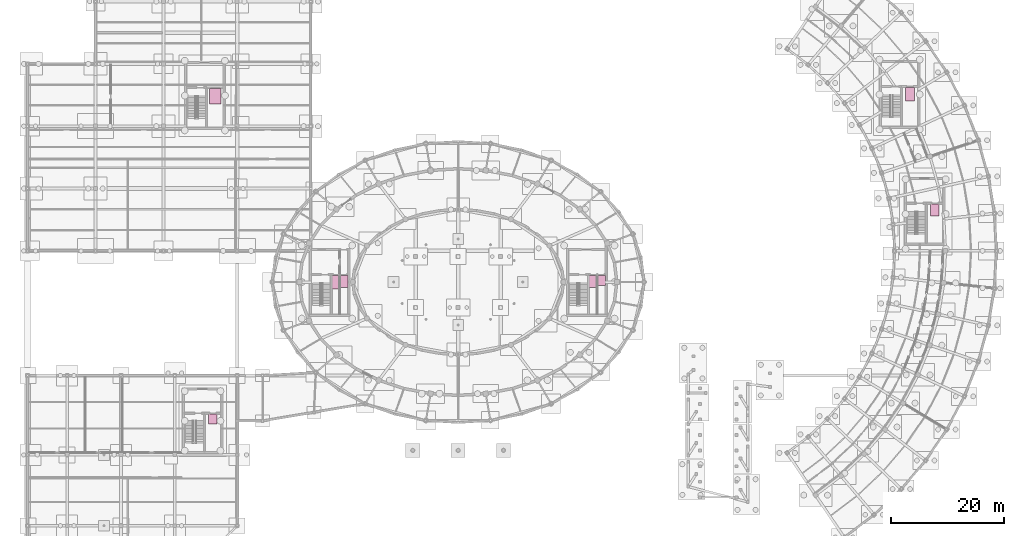
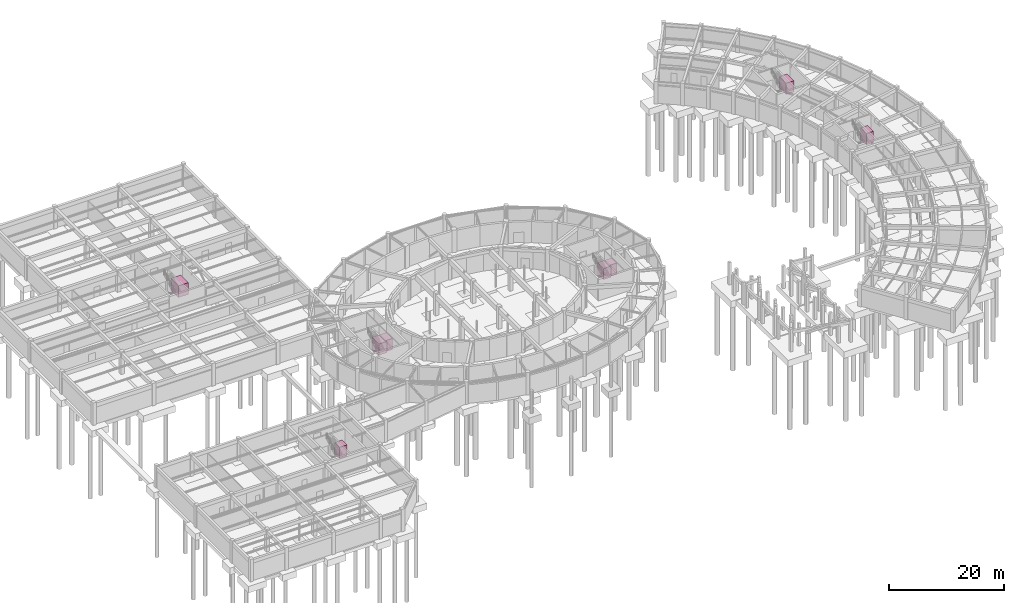
# One storey, part 42 of 42: 8 transport elements.
"""IFC4 building model written with IfcOpenShell, lengths in metres."""

from ifc_helpers import new_model, si_unit, direction, frame, origin, origin_2d, place, context, subcontext, project, spatial, rectangle, extrude, material, type_object, element, save


model = new_model("IFC4")

# Units and contexts
model_context = context("Model", 3, precision=1e-05, world=origin(), true_north=direction((0.0, 1.0)))
body_context = subcontext(model_context, "Body", "Model", "MODEL_VIEW")
ifc_project = project(units=[si_unit("LENGTHUNIT", "METRE"), si_unit("AREAUNIT", "SQUARE_METRE"), si_unit("VOLUMEUNIT", "CUBIC_METRE"), si_unit("PLANEANGLEUNIT", "RADIAN"), si_unit("MASSUNIT", "GRAM", prefix="KILO")], contexts=[model_context])

# Site, building, storey
site_placement = place(None, origin())
site = spatial("IfcSite", under=ifc_project, at=site_placement, CompositionType="ELEMENT")
building_placement = place(site_placement, origin())
building = spatial("IfcBuilding", under=site, at=building_placement, Name="Tarnveldt Headland Concert Hall", CompositionType="ELEMENT")
storey_placement = place(building_placement, frame((0.0, 0.0, -4.800048828125)))
storey = spatial("IfcBuildingStorey", under=building, at=storey_placement, Name="B1", CompositionType="ELEMENT", Elevation=-4.800048828125)

# Transport elements
ifc_material = material(Name="Marine stainless steel", Category="steel")
transport_element_type_1 = type_object("IfcTransportElementType", Name="LF-FF1600", PredefinedType="ELEVATOR", material=ifc_material)
for number, where, z_axis, x_axis, name in (
    (1, (61.936279296875, 54.4599609375, 0.0), (0.0, 0.0, 1.0), (1.0, 0.0, 0.0), "Lift FFL-01"),
    (2, (163.232421875, 87.659912109375, 0.0), (0.0, 0.0, 1.0), (1.0, 0.0, 0.0), "Lift FFL-02"),
):
    element("IfcTransportElement", number, at=place(storey_placement, frame(where, z_axis=z_axis, x_axis=x_axis)), inside=storey, type_object=transport_element_type_1, Name=name, PredefinedType="ELEVATOR", context=body_context, shape_type="SweptSolid", body=[
        extrude(rectangle(XDim=1.60009765625, YDim=2.39990234375, at=origin_2d()), origin(), (0.0, 0.0, 1.0), 2.39990234375),
    ])
transport_element_type_2 = type_object("IfcTransportElementType", Name="LF-GDS3500", PredefinedType="ELEVATOR", material=ifc_material)
transport_element_1_placement = place(storey_placement, frame((40.632568359375, 87.31005859375, 0.0), z_axis=(0.0, 0.0, 1.0), x_axis=(1.0, 0.0, 0.0)))
element("IfcTransportElement", 3, at=transport_element_1_placement, inside=storey, type_object=transport_element_type_2, Name="Lift LG-01", PredefinedType="ELEVATOR", context=body_context, shape_type="SweptSolid", body=[
    extrude(rectangle(XDim=2.0, YDim=2.699951171875, at=origin_2d()), origin(), (0.0, 0.0, 1.0), 2.5),
])
transport_element_type_3 = type_object("IfcTransportElementType", Name="LF-PAX1150", PredefinedType="ELEVATOR", material=ifc_material)
transport_element_2_placement = place(storey_placement, frame((40.232421875, 30.3349609375, 0.0), z_axis=(0.0, 0.0, 1.0), x_axis=(1.0, 0.0, 0.0)))
element("IfcTransportElement", 4, at=transport_element_2_placement, inside=storey, type_object=transport_element_type_3, Name="Lift LP-05", PredefinedType="ELEVATOR", context=body_context, shape_type="SweptSolid", body=[
    extrude(rectangle(XDim=1.5, YDim=1.75, at=origin_2d()), origin(), (0.0, 0.0, 1.0), 2.39990234375),
])
transport_element_type_4 = type_object("IfcTransportElementType", Name="LF-PAX1275", PredefinedType="ELEVATOR", material=ifc_material)
transport_element_3_placement = place(storey_placement, frame((108.728759765625, 54.760009765625, 0.0), z_axis=(0.0, 0.0, 1.0), x_axis=(1.0, 0.0, 0.0)))
element("IfcTransportElement", 5, at=transport_element_3_placement, inside=storey, type_object=transport_element_type_4, Name="Lift LP-03", PredefinedType="ELEVATOR", context=body_context, shape_type="SweptSolid", body=[
    extrude(rectangle(XDim=1.5, YDim=1.800048828125, at=origin_2d()), origin(), (0.0, 0.0, 1.0), 2.39990234375),
])
transport_element_type_5 = type_object("IfcTransportElementType", Name="LF-PAX1350", PredefinedType="ELEVATOR", material=ifc_material)
for number, where, z_axis, x_axis, name in (
    (6, (63.328857421875, 54.610107421875, 0.0), (0.0, 0.0, 1.0), (1.0, 0.0, 0.0), "Lift LP-01"),
    (7, (107.336181640625, 54.610107421875, 0.0), (0.0, 0.0, 1.0), (1.0, 0.0, 0.0), "Lift LP-02"),
    (8, (167.632568359375, 67.2099609375, 0.0), (0.0, 0.0, 1.0), (1.0, 0.0, 0.0), "Lift LP-04"),
):
    element("IfcTransportElement", number, at=place(storey_placement, frame(where, z_axis=z_axis, x_axis=x_axis)), inside=storey, type_object=transport_element_type_5, Name=name, PredefinedType="ELEVATOR", context=body_context, shape_type="SweptSolid", body=[
        extrude(rectangle(XDim=1.5, YDim=2.10009765625, at=origin_2d()), origin(), (0.0, 0.0, 1.0), 2.39990234375),
    ])

save(model, "model.ifc")
